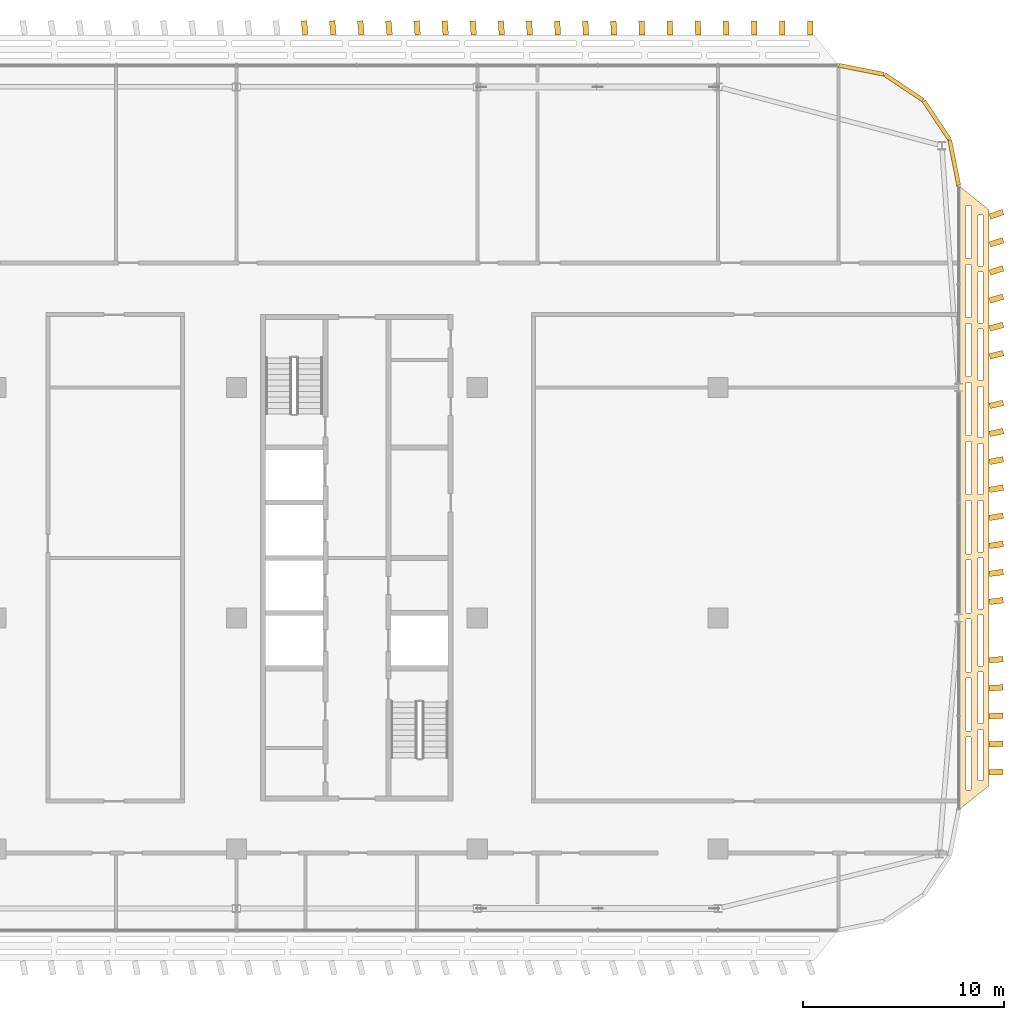
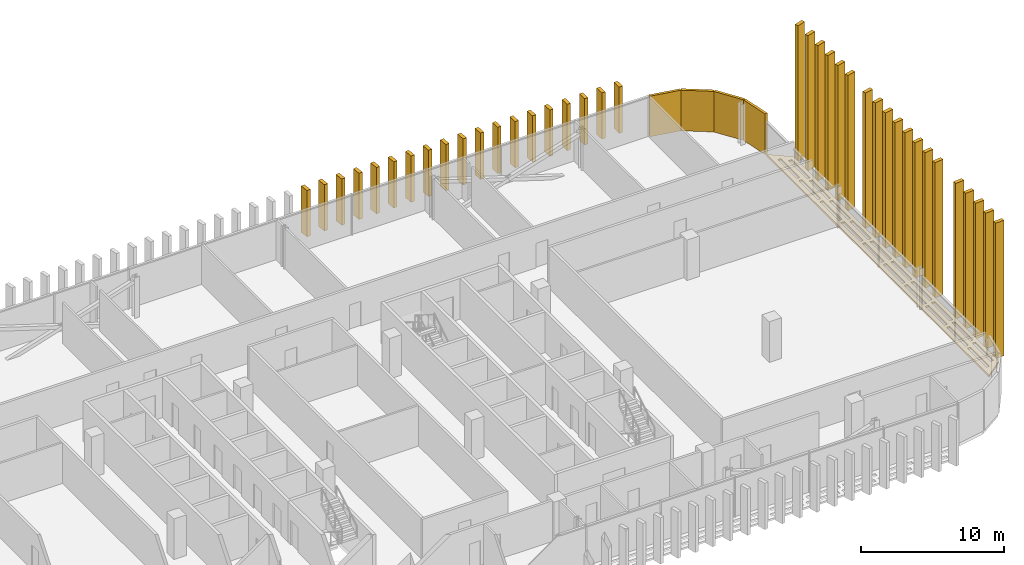
# One storey, part 32 of 32: 43 coverings.
"""IFC4 building model written with IfcOpenShell, lengths in metres."""

from ifc_helpers import new_model, si_unit, direction, frame, origin, origin_2d, place, context, subcontext, project, spatial, polyline, rectangle, outline, extrude, material, layer, layer_set, type_object, element, save


model = new_model("IFC4")

# Units and contexts
model_context = context("Model", 3, precision=1e-05, world=origin(), true_north=direction((0.0, 1.0)))
body_context = subcontext(model_context, "Body", "Model", "MODEL_VIEW")
ifc_project = project(units=[si_unit("LENGTHUNIT", "METRE"), si_unit("AREAUNIT", "SQUARE_METRE"), si_unit("VOLUMEUNIT", "CUBIC_METRE"), si_unit("PLANEANGLEUNIT", "RADIAN"), si_unit("MASSUNIT", "GRAM", prefix="KILO")], contexts=[model_context])

# Site, building, storey
site_placement = place(None, origin())
site = spatial("IfcSite", under=ifc_project, at=site_placement, CompositionType="ELEMENT")
building_placement = place(site_placement, origin())
building = spatial("IfcBuilding", under=site, at=building_placement, Name="Mahtab Terrace Research Tower", CompositionType="ELEMENT")
storey_placement = place(building_placement, frame((0.0, 0.0, 243.800048828125)))
storey = spatial("IfcBuildingStorey", under=building, at=storey_placement, Name="L59", CompositionType="ELEMENT", Elevation=243.800048828125)

# Coverings
ifc_material_1 = material(Name="Black aluminium cladding panel", Category="aluminium")
ifc_layer_1 = layer(ifc_material_1, 0.199951171875)
ifc_layer_set_1 = layer_set([ifc_layer_1], Name="Black metal corner cladding 200")
covering_type_1 = type_object("IfcCoveringType", Name="Black metal corner cladding 200", PredefinedType="CLADDING", material=ifc_layer_set_1)
for number, where, z_axis, x_axis, name in (
    (1, (52.89306640625, 24.825439453125, 0.0), (0.0, 0.0, 1.0), (-0.555291490808, 0.831655794326, 0.0), "Corner cladding L59 0"),
    (2, (51.26953125, 26.448974609375, 0.0), (0.0, 0.0, 1.0), (-0.831655794326, 0.555291490808, 0.0), "Corner cladding L59 1"),
    (3, (49.14794921875, 27.327392578125, 0.0), (0.0, 0.0, 1.0), (-0.980760981187, 0.195212442692, 0.0), "Corner cladding L59 2"),
    (4, (53.771484375, 22.7041015625, 0.0), (0.0, 0.0, 1.0), (-0.195212442692, 0.980760981187, 0.0), "Corner cladding L59 23"),
):
    element("IfcCovering", number, at=place(storey_placement, frame(where, z_axis=z_axis, x_axis=x_axis)), inside=storey, type_object=covering_type_1, Name=name, PredefinedType="CLADDING", context=body_context, shape_type="SweptSolid", body=[
        extrude(rectangle(XDim=2.30126953125, YDim=0.199951171875, at=origin_2d()), origin(), (0.0, 0.0, 1.0), 3.4599609375),
    ])
ifc_material_2 = material(Name="Black anodised aluminium", Category="aluminium")
ifc_layer_2 = layer(ifc_material_2, 0.14990234375)
ifc_layer_set_2 = layer_set([ifc_layer_2], Name="Horizontal sunshade band")
covering_type_2 = type_object("IfcCoveringType", Name="Horizontal sunshade band", PredefinedType="CLADDING", material=ifc_layer_set_2)
covering_placement = place(storey_placement, frame((0.0, 0.0, -0.150146484375)))
element("IfcCovering", 5, at=covering_placement, inside=storey, type_object=covering_type_2, Name="Sunshade band L59 20", PredefinedType="CLADDING", context=body_context, shape_type="SweptSolid", body=[
    extrude(outline(polyline([(54.0, -9.555908203125), (54.0, 21.555908203125), (55.5, 20.35595703125), (55.5, -8.35595703125), (54.0, -9.555908203125)]), holes=[polyline([(54.35009765625, -8.575927734375), (54.35009765625, -5.930908203125), (54.60009765625, -5.930908203125), (54.60009765625, -8.575927734375), (54.35009765625, -8.575927734375)]), polyline([(54.35009765625, -5.631103515625), (54.35009765625, -2.986083984375), (54.60009765625, -2.986083984375), (54.60009765625, -5.631103515625), (54.35009765625, -5.631103515625)]), polyline([(54.35009765625, -2.68603515625), (54.35009765625, -0.0400390625), (54.60009765625, -0.0400390625), (54.60009765625, -2.68603515625), (54.35009765625, -2.68603515625)]), polyline([(54.35009765625, 0.260009765625), (54.35009765625, 2.905029296875), (54.60009765625, 2.905029296875), (54.60009765625, 0.260009765625), (54.35009765625, 0.260009765625)]), polyline([(54.35009765625, 3.205078125), (54.35009765625, 5.85009765625), (54.60009765625, 5.85009765625), (54.60009765625, 3.205078125), (54.35009765625, 3.205078125)]), polyline([(54.35009765625, 6.14990234375), (54.35009765625, 8.794921875), (54.60009765625, 8.794921875), (54.60009765625, 6.14990234375), (54.35009765625, 6.14990234375)]), polyline([(54.35009765625, 9.094970703125), (54.35009765625, 11.739990234375), (54.60009765625, 11.739990234375), (54.60009765625, 9.094970703125), (54.35009765625, 9.094970703125)]), polyline([(54.35009765625, 12.0400390625), (54.35009765625, 14.68603515625), (54.60009765625, 14.68603515625), (54.60009765625, 12.0400390625), (54.35009765625, 12.0400390625)]), polyline([(54.35009765625, 14.986083984375), (54.35009765625, 17.631103515625), (54.60009765625, 17.631103515625), (54.60009765625, 14.986083984375), (54.35009765625, 14.986083984375)]), polyline([(54.35009765625, 17.930908203125), (54.35009765625, 20.575927734375), (54.60009765625, 20.575927734375), (54.60009765625, 17.930908203125), (54.35009765625, 17.930908203125)]), polyline([(54.949951171875, -8.095947265625), (54.949951171875, -5.547119140625), (55.199951171875, -5.547119140625), (55.199951171875, -8.095947265625), (54.949951171875, -8.095947265625)]), polyline([(54.949951171875, -5.2470703125), (54.949951171875, -2.697998046875), (55.199951171875, -2.697998046875), (55.199951171875, -5.2470703125), (54.949951171875, -5.2470703125)]), polyline([(54.949951171875, -2.39794921875), (54.949951171875, 0.152099609375), (55.199951171875, 0.152099609375), (55.199951171875, -2.39794921875), (54.949951171875, -2.39794921875)]), polyline([(54.949951171875, 0.451904296875), (54.949951171875, 3.0009765625), (55.199951171875, 3.0009765625), (55.199951171875, 0.451904296875), (54.949951171875, 0.451904296875)]), polyline([(54.949951171875, 3.301025390625), (54.949951171875, 5.85009765625), (55.199951171875, 5.85009765625), (55.199951171875, 3.301025390625), (54.949951171875, 3.301025390625)]), polyline([(54.949951171875, 6.14990234375), (54.949951171875, 8.698974609375), (55.199951171875, 8.698974609375), (55.199951171875, 6.14990234375), (54.949951171875, 6.14990234375)]), polyline([(54.949951171875, 8.9990234375), (54.949951171875, 11.548095703125), (55.199951171875, 11.548095703125), (55.199951171875, 8.9990234375), (54.949951171875, 8.9990234375)]), polyline([(54.949951171875, 11.847900390625), (54.949951171875, 14.39794921875), (55.199951171875, 14.39794921875), (55.199951171875, 11.847900390625), (54.949951171875, 11.847900390625)]), polyline([(54.949951171875, 14.697998046875), (54.949951171875, 17.2470703125), (55.199951171875, 17.2470703125), (55.199951171875, 14.697998046875), (54.949951171875, 14.697998046875)]), polyline([(54.949951171875, 17.547119140625), (54.949951171875, 20.095947265625), (55.199951171875, 20.095947265625), (55.199951171875, 17.547119140625), (54.949951171875, 17.547119140625)])]), origin(), (0.0, 0.0, 1.0), 0.150146484375),
])
ifc_material_3 = material(Name="Bronze anodised aluminium", Category="aluminium")
ifc_layer_3 = layer(ifc_material_3, 0.1201171875)
ifc_layer_set_3 = layer_set([ifc_layer_3], Name="Vertical fin 700")
covering_type_3 = type_object("IfcCoveringType", Name="Vertical fin 700", PredefinedType="CLADDING", material=ifc_layer_set_3)
for number, where, z_axis, x_axis, name in (
    (6, (46.60009765625, 29.40673828125, -0.14990234375), (0.0, 0.0, 1.0), (-0.999983076858, -0.005817731349, 0.0), "Fin L59 N1"),
    (7, (45.199951171875, 29.40771484375, -0.14990234375), (0.0, 0.0, 1.0), (-0.999932308004, -0.011635265807, 0.0), "Fin L59 N2"),
    (8, (43.800048828125, 29.408447265625, -0.14990234375), (0.0, 0.0, 1.0), (-0.999847695156, -0.017452406437, 0.0), "Fin L59 N3"),
    (9, (42.39990234375, 29.4091796875, -0.14990234375), (0.0, 0.0, 1.0), (-0.99972924118, -0.023268956368, 0.0), "Fin L59 N4"),
    (10, (41.0, 29.409912109375, -0.14990234375), (0.0, 0.0, 1.0), (-0.999576950082, -0.029084718749, 0.0), "Fin L59 N5"),
    (11, (39.60009765625, 29.41064453125, -0.14990234375), (0.0, 0.0, 1.0), (-0.999390827019, -0.034899496703, 0.0), "Fin L59 N6"),
    (12, (38.199951171875, 29.411376953125, -0.14990234375), (0.0, 0.0, 1.0), (-0.99917087829, -0.040713093438, 0.0), "Fin L59 N7"),
    (13, (36.800048828125, 29.412109375, -0.14990234375), (0.0, 0.0, 1.0), (-0.998917111338, -0.046525312204, 0.0), "Fin L59 N8"),
    (14, (35.39990234375, 29.412841796875, -0.14990234375), (0.0, 0.0, 1.0), (-0.998629534755, -0.052335956243, 0.0), "Fin L59 N9"),
    (15, (34.0, 29.41357421875, -0.14990234375), (0.0, 0.0, 1.0), (-0.998308158272, -0.058144828905, 0.0), "Fin L59 N10"),
    (16, (32.60009765625, 29.414306640625, -0.14990234375), (0.0, 0.0, 1.0), (-0.997952992766, -0.063951733597, 0.0), "Fin L59 N11"),
    (17, (31.199951171875, 29.414794921875, -0.14990234375), (0.0, 0.0, 1.0), (-0.99756405026, -0.069756473744, 0.0), "Fin L59 N12"),
    (18, (29.800048828125, 29.41552734375, -0.14990234375), (0.0, 0.0, 1.0), (-0.997141343917, -0.075558852893, 0.0), "Fin L59 N13"),
    (19, (28.39990234375, 29.416259765625, -0.14990234375), (0.0, 0.0, 1.0), (-0.996684888044, -0.081358674674, 0.0), "Fin L59 N14"),
    (20, (27.0, 29.416748046875, -0.14990234375), (0.0, 0.0, 1.0), (-0.996194698092, -0.087155742748, 0.0), "Fin L59 N15"),
    (21, (25.60009765625, 29.41748046875, -0.14990234375), (0.0, 0.0, 1.0), (-0.99567079065, -0.092949860924, 0.0), "Fin L59 N16"),
    (22, (24.199951171875, 29.418212890625, -0.14990234375), (0.0, 0.0, 1.0), (-0.99511318345, -0.098740833109, 0.0), "Fin L59 N17"),
    (23, (22.800048828125, 29.418701171875, -0.14990234375), (0.0, 0.0, 1.0), (-0.994521895368, -0.104528463268, 0.0), "Fin L59 N18"),
    (24, (21.39990234375, 29.419189453125, -0.14990234375), (0.0, 0.0, 1.0), (-0.993896946415, -0.110312555526, 0.0), "Fin L59 N19"),
):
    element("IfcCovering", number, at=place(storey_placement, frame(where, z_axis=z_axis, x_axis=x_axis)), inside=storey, type_object=covering_type_3, Name=name, PredefinedType="CLADDING", context=body_context, shape_type="SweptSolid", body=[
        extrude(rectangle(XDim=0.280029296875, YDim=0.699951171875, at=origin_2d()), origin(), (0.0, 0.0, 1.0), 3.949951171875),
    ])
for number, where, z_axis, x_axis, name in (
    (25, (55.852783203125, -7.674560546875, -0.14990234375), (0.0, 0.0, 1.0), (-0.021108209699, 0.999777196921, 0.0), "Fin L59 E1"),
    (26, (55.85498046875, -6.2744140625, -0.14990234375), (0.0, 0.0, 1.0), (-0.036808974832, 0.999322320061, 0.0), "Fin L59 E2"),
    (27, (55.85693359375, -4.87451171875, -0.14990234375), (0.0, 0.0, 1.0), (-0.052500658403, 0.998620889461, 0.0), "Fin L59 E3"),
    (28, (55.858642578125, -3.474609375, -0.14990234375), (0.0, 0.0, 1.0), (-0.068179388962, 0.997673078178, 0.0), "Fin L59 E4"),
    (29, (55.860595703125, -2.074462890625, -0.14990234375), (0.0, 0.0, 1.0), (-0.083841298256, 0.996479120056, 0.0), "Fin L59 E5"),
    (30, (55.864013671875, 0.85009765625, -0.14990234375), (0.0, 0.0, 1.0), (-0.116486652229, 0.993192257246, 0.0), "Fin L59 E1"),
    (31, (55.865478515625, 2.25, -0.14990234375), (0.0, 0.0, 1.0), (-0.132072222651, 0.991240096043, 0.0), "Fin L59 E2"),
    (32, (55.866943359375, 3.64990234375, -0.14990234375), (0.0, 0.0, 1.0), (-0.147625208073, 0.989043375157, 0.0), "Fin L59 E3"),
    (33, (55.8681640625, 5.050048828125, -0.14990234375), (0.0, 0.0, 1.0), (-0.163141771282, 0.986602636558, 0.0), "Fin L59 E4"),
    (34, (55.869384765625, 6.449951171875, -0.14990234375), (0.0, 0.0, 1.0), (-0.178618083983, 0.983918482434, 0.0), "Fin L59 E5"),
    (35, (55.87060546875, 7.85009765625, -0.14990234375), (0.0, 0.0, 1.0), (-0.19405032788, 0.980991575015, 0.0), "Fin L59 E6"),
    (36, (55.87158203125, 9.25, -0.14990234375), (0.0, 0.0, 1.0), (-0.20943469548, 0.977822636437, 0.0), "Fin L59 E7"),
    (37, (55.87255859375, 10.64990234375, -0.14990234375), (0.0, 0.0, 1.0), (-0.224767391173, 0.974412448538, 0.0), "Fin L59 E8"),
    (38, (55.8740234375, 13.12451171875, -0.14990234375), (0.0, 0.0, 1.0), (-0.251729941635, 0.967797518329, 0.0), "Fin L59 E1"),
    (39, (55.874755859375, 14.5244140625, -0.14990234375), (0.0, 0.0, 1.0), (-0.266899956537, 0.963724241264, 0.0), "Fin L59 E2"),
    (40, (55.875244140625, 15.924560546875, -0.14990234375), (0.0, 0.0, 1.0), (-0.282004121648, 0.959413193245, 0.0), "Fin L59 E3"),
    (41, (55.875732421875, 17.324462890625, -0.14990234375), (0.0, 0.0, 1.0), (-0.297038710421, 0.954865437908, 0.0), "Fin L59 E4"),
    (42, (55.876220703125, 18.724609375, -0.14990234375), (0.0, 0.0, 1.0), (-0.312000013542, 0.950082097268, 0.0), "Fin L59 E5"),
    (43, (55.87646484375, 20.12451171875, -0.14990234375), (0.0, 0.0, 1.0), (-0.326884339709, 0.945064351488, 0.0), "Fin L59 E6"),
):
    element("IfcCovering", number, at=place(storey_placement, frame(where, z_axis=z_axis, x_axis=x_axis)), inside=storey, type_object=covering_type_3, Name=name, PredefinedType="CLADDING", context=body_context, shape_type="SweptSolid", body=[
        extrude(rectangle(XDim=0.280029296875, YDim=0.699951171875, at=origin_2d()), origin(), (0.0, 0.0, 1.0), 11.550048828125),
    ])

save(model, "model.ifc")
